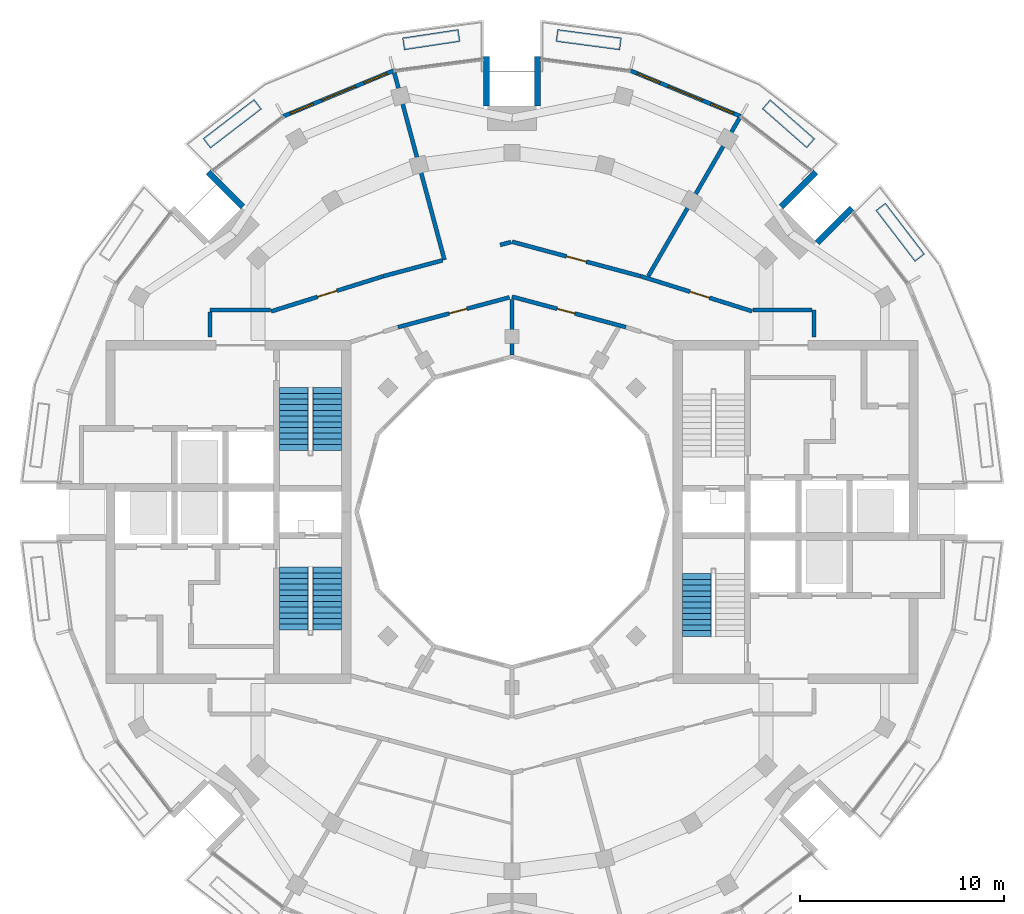
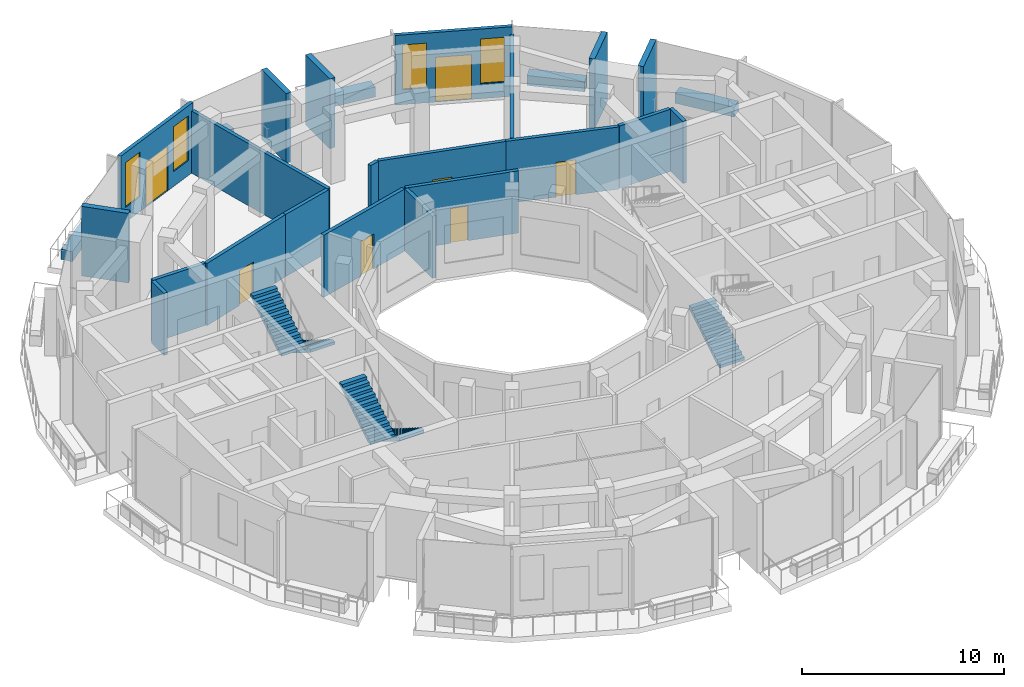
# One storey, part 12 of 16: 26 walls, 7 doors, 5 stair flights, 4 windows, 11 openings, 3 elements without a shape of their own.
"""IFC4 building model written with IfcOpenShell, lengths in metres."""

from ifc_helpers import new_model, si_unit, direction, frame, frame_2d, origin, place, context, subcontext, project, spatial, polyline, rectangle, outline, extrude, material, layer, layer_set, type_object, element, fill, aggregate, save


model = new_model("IFC4")

# Units and contexts
model_context = context("Model", 3, precision=1e-05, world=origin(), true_north=direction((0.0, 1.0)))
body_context = subcontext(model_context, "Body", "Model", "MODEL_VIEW")
ifc_project = project(units=[si_unit("LENGTHUNIT", "METRE"), si_unit("AREAUNIT", "SQUARE_METRE"), si_unit("VOLUMEUNIT", "CUBIC_METRE"), si_unit("PLANEANGLEUNIT", "RADIAN"), si_unit("MASSUNIT", "GRAM", prefix="KILO")], contexts=[model_context])

# Site, building, storey
site_placement = place(None, origin())
site = spatial("IfcSite", under=ifc_project, at=site_placement, CompositionType="ELEMENT")
building_placement = place(site_placement, origin())
building = spatial("IfcBuilding", under=site, at=building_placement, Name="Torre Brocal", CompositionType="ELEMENT")
storey_placement = place(building_placement, frame((0.0, 0.0, 292.5)))
storey = spatial("IfcBuildingStorey", under=building, at=storey_placement, Name="L67", CompositionType="ELEMENT", Elevation=292.5)

# Wall, openings, door, windows
ifc_material_1 = material(Name="Concrete C40", Category="concrete")
ifc_layer_1 = layer(ifc_material_1, 0.199951171875)
ifc_layer_set_1 = layer_set([ifc_layer_1], Name="Concrete C40")
wall_type_1 = type_object("IfcWallType", Name="EXTERNAL WALL 200", PredefinedType="NOTDEFINED", material=ifc_layer_set_1)
wall_1_placement = place(storey_placement, frame((91.199462890625, 94.398193359375, 0.0), z_axis=(0.0, 0.0, 1.0), x_axis=(-0.923869250418, 0.382708254591, 0.0)))
wall_1 = element("IfcWall", 1, at=wall_1_placement, inside=storey, type_object=wall_type_1, Name="EXTERNAL WALL", PredefinedType="NOTDEFINED", context=body_context, shape_type="SweptSolid", body=[
    extrude(rectangle(XDim=5.84716796875, YDim=0.199951171875, at=frame_2d((2.923583984375, 0.0))), origin(), (0.0, 0.0, 1.0), 4.199951171875),
])
opening_1_placement = place(wall_1_placement, frame((0.37451171875, 0.0, 0.89990234375)))
opening_1 = element("IfcOpeningElement", 2, at=opening_1_placement, cuts=wall_1, Name="Opening W9", PredefinedType="OPENING", context=body_context, shape_type="SweptSolid", body=[
    extrude(rectangle(XDim=1.199951171875, YDim=2.699951171875, at=frame_2d((0.60009765625, 1.35009765625))), frame((0.0, 0.10986328125, 0.0), z_axis=(0.0, -1.0, 0.0), x_axis=(1.0, 0.0, 0.0)), (0.0, 0.0, 1.0), 0.219970703125),
])
opening_2_placement = place(wall_1_placement, frame((2.023681640625, 0.0, 0.0)))
opening_2 = element("IfcOpeningElement", 3, at=opening_2_placement, cuts=wall_1, Name="Opening L67-E02", PredefinedType="OPENING", context=body_context, shape_type="SweptSolid", body=[
    extrude(rectangle(XDim=1.800048828125, YDim=2.699951171875, at=frame_2d((0.89990234375, 1.35009765625))), frame((0.0, 0.10986328125, 0.0), z_axis=(0.0, -1.0, 0.0), x_axis=(1.0, 0.0, 0.0)), (0.0, 0.0, 1.0), 0.219970703125),
])
opening_3_placement = place(wall_1_placement, frame((4.272705078125, 0.0, 0.89990234375)))
opening_3 = element("IfcOpeningElement", 4, at=opening_3_placement, cuts=wall_1, Name="Opening W9", PredefinedType="OPENING", context=body_context, shape_type="SweptSolid", body=[
    extrude(rectangle(XDim=1.199951171875, YDim=2.699951171875, at=frame_2d((0.60009765625, 1.35009765625))), frame((0.0, 0.10986328125, 0.0), z_axis=(0.0, -1.0, 0.0), x_axis=(1.0, 0.0, 0.0)), (0.0, 0.0, 1.0), 0.219970703125),
])
ifc_material_2 = material(Name="Aluminium and glass", Category="aluminium")
door_type_1 = type_object("IfcDoorType", Name="PENTHOUSE TERRACE DOUBLE DOOR 1800X2700", OperationType="DOUBLE_DOOR_SINGLE_SWING", PredefinedType="DOOR", material=ifc_material_2)
door_1_placement = place(opening_2_placement, frame((1.800048828125, 0.0, 0.0), z_axis=(0.0, 0.0, 1.0), x_axis=(-1.0, 0.0, 0.0)))
door_1 = element("IfcDoor", 5, at=door_1_placement, inside=storey, type_object=door_type_1, Name="DOOR L67-E02", OperationType="DOUBLE_DOOR_SINGLE_SWING", OverallHeight=2.699951171875, OverallWidth=1.800048828125, PredefinedType="DOOR", context=body_context, shape_type="SweptSolid", body=[
    extrude(rectangle(XDim=1.800048828125, YDim=2.699951171875, at=frame_2d((0.89990234375, 1.35009765625))), frame((0.0, 0.02490234375, 0.0), z_axis=(0.0, -1.0, 0.0), x_axis=(1.0, 0.0, 0.0)), (0.0, 0.0, 1.0), 0.050048828125),
])
fill(opening_2, door_1)
ifc_material_3 = material(Name="Aluminium and glass", Category="aluminium")
window_type = type_object("IfcWindowType", Name="PENTHOUSE TERRACE WINDOW 1200X2700", PartitioningType="SINGLE_PANEL", PredefinedType="WINDOW", material=ifc_material_3)
window_1_placement = place(opening_1_placement, origin())
window_1 = element("IfcWindow", 6, at=window_1_placement, inside=storey, type_object=window_type, Name="PENTHOUSE TERRACE WINDOW 1200X2700", OverallHeight=2.699951171875, OverallWidth=1.199951171875, PartitioningType="SINGLE_PANEL", PredefinedType="WINDOW", context=body_context, shape_type="SweptSolid", body=[
    extrude(rectangle(XDim=1.199951171875, YDim=2.699951171875, at=frame_2d((0.60009765625, 1.35009765625))), frame((0.0, 0.030029296875, 0.0), z_axis=(0.0, -1.0, 0.0), x_axis=(1.0, 0.0, 0.0)), (0.0, 0.0, 1.0), 0.06005859375),
])
fill(opening_1, window_1)
window_2_placement = place(opening_3_placement, origin())
window_2 = element("IfcWindow", 7, at=window_2_placement, inside=storey, type_object=window_type, Name="PENTHOUSE TERRACE WINDOW 1200X2700", OverallHeight=2.699951171875, OverallWidth=1.199951171875, PartitioningType="SINGLE_PANEL", PredefinedType="WINDOW", context=body_context, shape_type="SweptSolid", body=[
    extrude(rectangle(XDim=1.199951171875, YDim=2.699951171875, at=frame_2d((0.60009765625, 1.35009765625))), frame((0.0, 0.030029296875, 0.0), z_axis=(0.0, -1.0, 0.0), x_axis=(1.0, 0.0, 0.0)), (0.0, 0.0, 1.0), 0.06005859375),
])
fill(opening_3, window_2)

wall_2_placement = place(storey_placement, frame((74.20263671875, 96.635986328125, 0.0), z_axis=(0.0, 0.0, 1.0), x_axis=(-0.923869250418, -0.382708254591, 0.0)))
wall_2 = element("IfcWall", 8, at=wall_2_placement, inside=storey, type_object=wall_type_1, Name="EXTERNAL WALL", PredefinedType="NOTDEFINED", context=body_context, shape_type="SweptSolid", body=[
    extrude(rectangle(XDim=5.84716796875, YDim=0.199951171875, at=frame_2d((2.923583984375, 0.0))), origin(), (0.0, 0.0, 1.0), 4.199951171875),
])
opening_4_placement = place(wall_2_placement, frame((0.37451171875, 0.0, 0.89990234375)))
opening_4 = element("IfcOpeningElement", 9, at=opening_4_placement, cuts=wall_2, Name="Opening W9", PredefinedType="OPENING", context=body_context, shape_type="SweptSolid", body=[
    extrude(rectangle(XDim=1.199951171875, YDim=2.699951171875, at=frame_2d((0.60009765625, 1.35009765625))), frame((0.0, 0.10986328125, 0.0), z_axis=(0.0, -1.0, 0.0), x_axis=(1.0, 0.0, 0.0)), (0.0, 0.0, 1.0), 0.219970703125),
])
opening_5_placement = place(wall_2_placement, frame((2.023681640625, 0.0, 0.0)))
opening_5 = element("IfcOpeningElement", 10, at=opening_5_placement, cuts=wall_2, Name="Opening L67-E03", PredefinedType="OPENING", context=body_context, shape_type="SweptSolid", body=[
    extrude(rectangle(XDim=1.800048828125, YDim=2.699951171875, at=frame_2d((0.89990234375, 1.35009765625))), frame((0.0, 0.10986328125, 0.0), z_axis=(0.0, -1.0, 0.0), x_axis=(1.0, 0.0, 0.0)), (0.0, 0.0, 1.0), 0.219970703125),
])
opening_6_placement = place(wall_2_placement, frame((4.272705078125, 0.0, 0.89990234375)))
opening_6 = element("IfcOpeningElement", 11, at=opening_6_placement, cuts=wall_2, Name="Opening W9", PredefinedType="OPENING", context=body_context, shape_type="SweptSolid", body=[
    extrude(rectangle(XDim=1.199951171875, YDim=2.699951171875, at=frame_2d((0.60009765625, 1.35009765625))), frame((0.0, 0.10986328125, 0.0), z_axis=(0.0, -1.0, 0.0), x_axis=(1.0, 0.0, 0.0)), (0.0, 0.0, 1.0), 0.219970703125),
])
door_2_placement = place(opening_5_placement, frame((1.800048828125, 0.0, 0.0), z_axis=(0.0, 0.0, 1.0), x_axis=(-1.0, 0.0, 0.0)))
door_2 = element("IfcDoor", 12, at=door_2_placement, inside=storey, type_object=door_type_1, Name="DOOR L67-E03", OperationType="DOUBLE_DOOR_SINGLE_SWING", OverallHeight=2.699951171875, OverallWidth=1.800048828125, PredefinedType="DOOR", context=body_context, shape_type="SweptSolid", body=[
    extrude(rectangle(XDim=1.800048828125, YDim=2.699951171875, at=frame_2d((0.89990234375, 1.35009765625))), frame((0.0, 0.02490234375, 0.0), z_axis=(0.0, -1.0, 0.0), x_axis=(1.0, 0.0, 0.0)), (0.0, 0.0, 1.0), 0.050048828125),
])
fill(opening_5, door_2)
window_3_placement = place(opening_4_placement, origin())
window_3 = element("IfcWindow", 13, at=window_3_placement, inside=storey, type_object=window_type, Name="PENTHOUSE TERRACE WINDOW 1200X2700", OverallHeight=2.699951171875, OverallWidth=1.199951171875, PartitioningType="SINGLE_PANEL", PredefinedType="WINDOW", context=body_context, shape_type="SweptSolid", body=[
    extrude(rectangle(XDim=1.199951171875, YDim=2.699951171875, at=frame_2d((0.60009765625, 1.35009765625))), frame((0.0, 0.030029296875, 0.0), z_axis=(0.0, -1.0, 0.0), x_axis=(1.0, 0.0, 0.0)), (0.0, 0.0, 1.0), 0.06005859375),
])
fill(opening_4, window_3)
window_4_placement = place(opening_6_placement, origin())
window_4 = element("IfcWindow", 14, at=window_4_placement, inside=storey, type_object=window_type, Name="PENTHOUSE TERRACE WINDOW 1200X2700", OverallHeight=2.699951171875, OverallWidth=1.199951171875, PartitioningType="SINGLE_PANEL", PredefinedType="WINDOW", context=body_context, shape_type="SweptSolid", body=[
    extrude(rectangle(XDim=1.199951171875, YDim=2.699951171875, at=frame_2d((0.60009765625, 1.35009765625))), frame((0.0, 0.030029296875, 0.0), z_axis=(0.0, -1.0, 0.0), x_axis=(1.0, 0.0, 0.0)), (0.0, 0.0, 1.0), 0.06005859375),
])
fill(opening_6, window_4)

# Walls
ifc_material_4 = material(Name="Concrete C50", Category="concrete")
ifc_layer_2 = layer(ifc_material_4, 0.300048828125)
ifc_layer_set_2 = layer_set([ifc_layer_2], Name="Concrete C50")
wall_type_2 = type_object("IfcWallType", Name="NOTCH RETURN WALL 300 C50", PredefinedType="NOTDEFINED", material=ifc_layer_set_2)
for number, where, z_axis, x_axis, name in (
    (15, (94.955322265625, 88.1875, 0.0), (0.0, 0.0, 1.0), (0.707106781187, 0.707106781187, 0.0), "NOTCH RETURN WALL"),
    (16, (93.1875, 89.955322265625, 0.0), (0.0, 0.0, 1.0), (0.707106781187, 0.707106781187, 0.0), "NOTCH RETURN WALL"),
    (17, (81.25, 94.89990234375, 0.0), (0.0, 0.0, 1.0), (0.0, 1.0, 0.0), "NOTCH RETURN WALL"),
    (18, (78.75, 94.89990234375, 0.0), (0.0, 0.0, 1.0), (0.0, 1.0, 0.0), "NOTCH RETURN WALL"),
    (19, (66.8125, 89.955322265625, 0.0), (0.0, 0.0, 1.0), (-0.707106781187, 0.707106781187, 0.0), "NOTCH RETURN WALL"),
):
    element("IfcWall", number, at=place(storey_placement, frame(where, z_axis=z_axis, x_axis=x_axis)), inside=storey, type_object=wall_type_2, Name=name, PredefinedType="NOTDEFINED", context=body_context, shape_type="SweptSolid", body=[
        extrude(rectangle(XDim=2.415771484375, YDim=0.300048828125, at=frame_2d((1.2080078125, 0.0))), origin(), (0.0, 0.0, 1.0), 4.199951171875),
    ])
ifc_material_5 = material(Name="Gypsum board", Category="Gypsum")
ifc_layer_3 = layer(ifc_material_5, 0.199951171875)
ifc_layer_set_3 = layer_set([ifc_layer_3], Name="Gypsum board")
wall_type_3 = type_object("IfcWallType", Name="PARTITION 200 EI60", PredefinedType="PARTITIONING", material=ifc_layer_set_3)
wall_3_placement = place(storey_placement, frame((65.199951171875, 83.576904296875, 0.0), z_axis=(0.0, 0.0, 1.0), x_axis=(0.0, 1.0, 0.0)))
element("IfcWall", 20, at=wall_3_placement, inside=storey, type_object=wall_type_3, Name="FLAT ENTRANCE WALL", PredefinedType="PARTITIONING", context=body_context, shape_type="SweptSolid", body=[
    extrude(rectangle(XDim=1.22314453125, YDim=0.199951171875, at=frame_2d((0.611572265625, 0.0))), origin(), (0.0, 0.0, 1.0), 3.75),
])
wall_4_placement = place(storey_placement, frame((65.199951171875, 84.89990234375, 0.0), z_axis=(0.0, 0.0, 1.0), x_axis=(1.0, 0.0, 0.0)))
element("IfcWall", 21, at=wall_4_placement, inside=storey, type_object=wall_type_3, Name="FLAT ENTRANCE WALL", PredefinedType="PARTITIONING", context=body_context, shape_type="SweptSolid", body=[
    extrude(rectangle(XDim=2.969970703125, YDim=0.199951171875, at=frame_2d((1.48486328125, 0.0))), origin(), (0.0, 0.0, 1.0), 3.75),
])

# Wall, opening, door
wall_5_placement = place(storey_placement, frame((68.200927734375, 84.83349609375, 0.0), z_axis=(0.0, 0.0, 1.0), x_axis=(0.95420102455, 0.299166182492, 0.0)))
wall_5 = element("IfcWall", 22, at=wall_5_placement, inside=storey, type_object=wall_type_3, Name="FLAT ENTRANCE WALL", PredefinedType="PARTITIONING", context=body_context, shape_type="SweptSolid", body=[
    extrude(rectangle(XDim=5.739501953125, YDim=0.199951171875, at=frame_2d((2.86962890625, 0.0))), origin(), (0.0, 0.0, 1.0), 3.75),
])
opening_7_placement = place(wall_5_placement, frame((2.374267578125, 0.0, 0.0)))
opening_7 = element("IfcOpeningElement", 23, at=opening_7_placement, cuts=wall_5, Name="Opening N03-D03", PredefinedType="OPENING", context=body_context, shape_type="SweptSolid", body=[
    extrude(rectangle(XDim=1.0, YDim=2.10009765625, at=frame_2d((0.5, 1.050048828125))), frame((0.0, 0.10986328125, 0.0), z_axis=(0.0, -1.0, 0.0), x_axis=(1.0, 0.0, 0.0)), (0.0, 0.0, 1.0), 0.219970703125),
])
ifc_material_6 = material(Name="Timber", Category="wood")
door_type_2 = type_object("IfcDoorType", Name="FLAT ENTRY DOOR FD30S 1000X2100", OperationType="SINGLE_SWING_RIGHT", PredefinedType="DOOR", material=ifc_material_6)
door_3_placement = place(opening_7_placement, origin())
door_3 = element("IfcDoor", 24, at=door_3_placement, inside=storey, type_object=door_type_2, Name="N03-D03", OperationType="SINGLE_SWING_LEFT", OverallHeight=2.10009765625, OverallWidth=1.0, PredefinedType="DOOR", context=body_context, shape_type="SweptSolid", body=[
    extrude(rectangle(XDim=1.0, YDim=2.10009765625, at=frame_2d((0.5, 1.050048828125))), frame((0.0, 0.02490234375, 0.0), z_axis=(0.0, -1.0, 0.0), x_axis=(1.0, 0.0, 0.0)), (0.0, 0.0, 1.0), 0.050048828125),
])
fill(opening_7, door_3)

# Walls
wall_6_placement = place(storey_placement, frame((73.686767578125, 86.5546875, 0.0), z_axis=(0.0, 0.0, 1.0), x_axis=(0.965987897826, 0.258587279759, 0.0)))
element("IfcWall", 25, at=wall_6_placement, inside=storey, type_object=wall_type_3, Name="FLAT ENTRANCE WALL", PredefinedType="PARTITIONING", context=body_context, shape_type="SweptSolid", body=[
    extrude(rectangle(XDim=3.007080078125, YDim=0.199951171875, at=frame_2d((1.50341796875, 0.0))), origin(), (0.0, 0.0, 1.0), 3.75),
])
wall_7_placement = place(storey_placement, frame((74.22998046875, 96.53759765625, 0.0), z_axis=(0.0, 0.0, 1.0), x_axis=(0.258775468547, -0.965937501538, 0.0)))
element("IfcWall", 26, at=wall_7_placement, inside=storey, type_object=wall_type_3, Name="PARTY PARTITION", PredefinedType="PARTITIONING", context=body_context, shape_type="SweptSolid", body=[
    extrude(rectangle(XDim=9.50244140625, YDim=0.199951171875, at=frame_2d((4.751220703125, 0.0))), origin(), (0.0, 0.0, 1.0), 3.75),
])

# Wall, opening, door
wall_8_placement = place(storey_placement, frame((74.4130859375, 84.056884765625, 0.0), z_axis=(0.0, 0.0, 1.0), x_axis=(0.965972135939, 0.258646153246, 0.0)))
wall_8 = element("IfcWall", 27, at=wall_8_placement, inside=storey, type_object=wall_type_3, Name="CORRIDOR WALL", PredefinedType="PARTITIONING", context=body_context, shape_type="SweptSolid", body=[
    extrude(rectangle(XDim=5.654052734375, YDim=0.199951171875, at=frame_2d((2.8271484375, 0.0))), origin(), (0.0, 0.0, 1.0), 3.75),
])
opening_8_placement = place(wall_8_placement, frame((2.5927734375, 0.0, 0.0)))
opening_8 = element("IfcOpeningElement", 28, at=opening_8_placement, cuts=wall_8, Name="Opening N03-D06", PredefinedType="OPENING", context=body_context, shape_type="SweptSolid", body=[
    extrude(rectangle(XDim=0.89990234375, YDim=2.10009765625, at=frame_2d((0.449951171875, 1.050048828125))), frame((0.0, 0.10986328125, 0.0), z_axis=(0.0, -1.0, 0.0), x_axis=(1.0, 0.0, 0.0)), (0.0, 0.0, 1.0), 0.219970703125),
])
ifc_material_7 = material(Name="Timber", Category="wood")
door_type_3 = type_object("IfcDoorType", Name="ROOM DOOR 900X2100", OperationType="SINGLE_SWING_LEFT", PredefinedType="DOOR", material=ifc_material_7)
door_4_placement = place(opening_8_placement, frame((0.89990234375, 0.0, 0.0), z_axis=(0.0, 0.0, 1.0), x_axis=(-1.0, 0.0, 0.0)))
door_4 = element("IfcDoor", 29, at=door_4_placement, inside=storey, type_object=door_type_3, Name="N03-D06", OperationType="SINGLE_SWING_RIGHT", OverallHeight=2.10009765625, OverallWidth=0.89990234375, PredefinedType="DOOR", context=body_context, shape_type="SweptSolid", body=[
    extrude(rectangle(XDim=0.89990234375, YDim=2.10009765625, at=frame_2d((0.449951171875, 1.050048828125))), frame((0.0, 0.02490234375, 0.0), z_axis=(0.0, -1.0, 0.0), x_axis=(1.0, 0.0, 0.0)), (0.0, 0.0, 1.0), 0.050048828125),
])
fill(opening_8, door_4)

# Walls
wall_9_placement = place(storey_placement, frame((79.42138671875, 88.08984375, 0.0), z_axis=(0.0, 0.0, 1.0), x_axis=(0.966065016104, 0.258299021793, 0.0)))
element("IfcWall", 30, at=wall_9_placement, inside=storey, type_object=wall_type_3, Name="FLAT ENTRANCE WALL", PredefinedType="PARTITIONING", context=body_context, shape_type="SweptSolid", body=[
    extrude(rectangle(XDim=0.549072265625, YDim=0.199951171875, at=frame_2d((0.2744140625, 0.0))), origin(), (0.0, 0.0, 1.0), 3.75),
])
wall_10_placement = place(storey_placement, frame((80.0, 82.698974609375, 0.0), z_axis=(0.0, 0.0, 1.0), x_axis=(0.0, 1.0, 0.0)))
element("IfcWall", 31, at=wall_10_placement, inside=storey, type_object=wall_type_3, Name="SERVICE ROOM WALL", PredefinedType="PARTITIONING", context=body_context, shape_type="SweptSolid", body=[
    extrude(rectangle(XDim=2.72509765625, YDim=0.199951171875, at=frame_2d((1.362548828125, 0.0))), origin(), (0.0, 0.0, 1.0), 3.75),
])

# Wall, opening, door
wall_11_placement = place(storey_placement, frame((80.0, 85.553955078125, 0.0), z_axis=(0.0, 0.0, 1.0), x_axis=(0.965928989968, -0.258807237802, 0.0)))
wall_11 = element("IfcWall", 32, at=wall_11_placement, inside=storey, type_object=wall_type_3, Name="CORRIDOR WALL", PredefinedType="PARTITIONING", context=body_context, shape_type="SweptSolid", body=[
    extrude(rectangle(XDim=5.774169921875, YDim=0.199951171875, at=frame_2d((2.88720703125, 0.0))), origin(), (0.0, 0.0, 1.0), 3.75),
])
opening_9_placement = place(wall_11_placement, frame((2.29150390625, 0.0, 0.0)))
opening_9 = element("IfcOpeningElement", 33, at=opening_9_placement, cuts=wall_11, Name="Opening N03-D05", PredefinedType="OPENING", context=body_context, shape_type="SweptSolid", body=[
    extrude(rectangle(XDim=0.89990234375, YDim=2.10009765625, at=frame_2d((0.449951171875, 1.050048828125))), frame((0.0, 0.10986328125, 0.0), z_axis=(0.0, -1.0, 0.0), x_axis=(1.0, 0.0, 0.0)), (0.0, 0.0, 1.0), 0.219970703125),
])
door_5_placement = place(opening_9_placement, frame((0.89990234375, 0.0, 0.0), z_axis=(0.0, 0.0, 1.0), x_axis=(-1.0, 0.0, 0.0)))
door_5 = element("IfcDoor", 34, at=door_5_placement, inside=storey, type_object=door_type_3, Name="N03-D05", OperationType="SINGLE_SWING_LEFT", OverallHeight=2.10009765625, OverallWidth=0.89990234375, PredefinedType="DOOR", context=body_context, shape_type="SweptSolid", body=[
    extrude(rectangle(XDim=0.89990234375, YDim=2.10009765625, at=frame_2d((0.449951171875, 1.050048828125))), frame((0.0, 0.02490234375, 0.0), z_axis=(0.0, -1.0, 0.0), x_axis=(1.0, 0.0, 0.0)), (0.0, 0.0, 1.0), 0.050048828125),
])
fill(opening_9, door_5)

wall_12_placement = place(storey_placement, frame((80.0, 88.24609375, 0.0), z_axis=(0.0, 0.0, 1.0), x_axis=(0.965856994925, -0.259075790752, 0.0)))
wall_12 = element("IfcWall", 35, at=wall_12_placement, inside=storey, type_object=wall_type_3, Name="FLAT ENTRANCE WALL", PredefinedType="PARTITIONING", context=body_context, shape_type="SweptSolid", body=[
    extrude(rectangle(XDim=6.52587890625, YDim=0.199951171875, at=frame_2d((3.262939453125, 0.0))), origin(), (0.0, 0.0, 1.0), 3.75),
])
opening_10_placement = place(wall_12_placement, frame((2.767822265625, 0.0, 0.0)))
opening_10 = element("IfcOpeningElement", 36, at=opening_10_placement, cuts=wall_12, Name="Opening N03-D02", PredefinedType="OPENING", context=body_context, shape_type="SweptSolid", body=[
    extrude(rectangle(XDim=1.0, YDim=2.10009765625, at=frame_2d((0.5, 1.050048828125))), frame((0.0, 0.10986328125, 0.0), z_axis=(0.0, -1.0, 0.0), x_axis=(1.0, 0.0, 0.0)), (0.0, 0.0, 1.0), 0.219970703125),
])
door_6_placement = place(opening_10_placement, origin())
door_6 = element("IfcDoor", 37, at=door_6_placement, inside=storey, type_object=door_type_2, Name="N03-D02", OperationType="SINGLE_SWING_RIGHT", OverallHeight=2.10009765625, OverallWidth=1.0, PredefinedType="DOOR", context=body_context, shape_type="SweptSolid", body=[
    extrude(rectangle(XDim=1.0, YDim=2.10009765625, at=frame_2d((0.5, 1.050048828125))), frame((0.0, 0.02490234375, 0.0), z_axis=(0.0, -1.0, 0.0), x_axis=(1.0, 0.0, 0.0)), (0.0, 0.0, 1.0), 0.050048828125),
])
fill(opening_10, door_6)

wall_13_placement = place(storey_placement, frame((86.313720703125, 86.555908203125, 0.0), z_axis=(0.0, 0.0, 1.0), x_axis=(0.953912400139, -0.300085209334, 0.0)))
wall_13 = element("IfcWall", 38, at=wall_13_placement, inside=storey, type_object=wall_type_3, Name="FLAT ENTRANCE WALL", PredefinedType="PARTITIONING", context=body_context, shape_type="SweptSolid", body=[
    extrude(rectangle(XDim=5.719482421875, YDim=0.199951171875, at=frame_2d((2.85986328125, 0.0))), origin(), (0.0, 0.0, 1.0), 3.75),
])
opening_11_placement = place(wall_13_placement, frame((2.524169921875, 0.0, 0.0)))
opening_11 = element("IfcOpeningElement", 39, at=opening_11_placement, cuts=wall_13, Name="Opening N03-D01", PredefinedType="OPENING", context=body_context, shape_type="SweptSolid", body=[
    extrude(rectangle(XDim=1.0, YDim=2.10009765625, at=frame_2d((0.5, 1.050048828125))), frame((0.0, 0.10986328125, 0.0), z_axis=(0.0, -1.0, 0.0), x_axis=(1.0, 0.0, 0.0)), (0.0, 0.0, 1.0), 0.219970703125),
])
door_7_placement = place(opening_11_placement, origin())
door_7 = element("IfcDoor", 40, at=door_7_placement, inside=storey, type_object=door_type_2, Name="N03-D01", OperationType="SINGLE_SWING_LEFT", OverallHeight=2.10009765625, OverallWidth=1.0, PredefinedType="DOOR", context=body_context, shape_type="SweptSolid", body=[
    extrude(rectangle(XDim=1.0, YDim=2.10009765625, at=frame_2d((0.5, 1.050048828125))), frame((0.0, 0.02490234375, 0.0), z_axis=(0.0, -1.0, 0.0), x_axis=(1.0, 0.0, 0.0)), (0.0, 0.0, 1.0), 0.050048828125),
])
fill(opening_11, door_7)

# Walls
wall_14_placement = place(storey_placement, frame((86.6787109375, 86.56298828125, 0.0), z_axis=(0.0, 0.0, 1.0), x_axis=(0.500152516677, 0.865937330331, 0.0)))
element("IfcWall", 41, at=wall_14_placement, inside=storey, type_object=wall_type_3, Name="PARTY PARTITION", PredefinedType="PARTITIONING", context=body_context, shape_type="SweptSolid", body=[
    extrude(rectangle(XDim=8.943115234375, YDim=0.199951171875, at=frame_2d((4.4716796875, 0.0))), origin(), (0.0, 0.0, 1.0), 3.75),
])
wall_15_placement = place(storey_placement, frame((91.800048828125, 84.89990234375, 0.0), z_axis=(0.0, 0.0, 1.0), x_axis=(1.0, 0.0, 0.0)))
element("IfcWall", 42, at=wall_15_placement, inside=storey, type_object=wall_type_3, Name="FLAT ENTRANCE WALL", PredefinedType="PARTITIONING", context=body_context, shape_type="SweptSolid", body=[
    extrude(rectangle(XDim=2.89990234375, YDim=0.199951171875, at=frame_2d((1.449951171875, 0.0))), origin(), (0.0, 0.0, 1.0), 3.75),
])
wall_16_placement = place(storey_placement, frame((94.800048828125, 83.576904296875, 0.0), z_axis=(0.0, 0.0, 1.0), x_axis=(0.0, 1.0, 0.0)))
element("IfcWall", 43, at=wall_16_placement, inside=storey, type_object=wall_type_3, Name="FLAT ENTRANCE WALL", PredefinedType="PARTITIONING", context=body_context, shape_type="SweptSolid", body=[
    extrude(rectangle(XDim=1.322998046875, YDim=0.199951171875, at=frame_2d((0.66162109375, 0.0))), origin(), (0.0, 0.0, 1.0), 3.75),
])
ifc_material_8 = material(Name="Concrete C35", Category="concrete")
ifc_layer_4 = layer(ifc_material_8, 0.60009765625)
ifc_layer_set_4 = layer_set([ifc_layer_4], Name="Concrete C35")
wall_type_4 = type_object("IfcWallType", Name="PLANTER WALL 600 THICK 600 HIGH", PredefinedType="USERDEFINED", material=ifc_layer_set_4)
wall_17_placement = place(storey_placement, frame((99.988037109375, 87.4560546875, 0.0), z_axis=(0.0, 0.0, 1.0), x_axis=(-0.608765634962, 0.793350112932, 0.0)))
element("IfcWall", 44, at=wall_17_placement, inside=storey, type_object=wall_type_4, Name="PLANTER", ObjectType="PLANTER", PredefinedType="USERDEFINED", context=body_context, shape_type="SweptSolid", body=[
    extrude(rectangle(XDim=3.159912109375, YDim=0.60009765625, at=frame_2d((1.580078125, 0.0))), origin(), (0.0, 0.0, 1.0), 0.60009765625),
])
wall_18_placement = place(storey_placement, frame((94.6455078125, 93.064453125, 0.0), z_axis=(0.0, 0.0, 1.0), x_axis=(-0.751246709205, 0.660021501096, 0.0)))
element("IfcWall", 45, at=wall_18_placement, inside=storey, type_object=wall_type_4, Name="PLANTER", ObjectType="PLANTER", PredefinedType="USERDEFINED", context=body_context, shape_type="SweptSolid", body=[
    extrude(rectangle(XDim=2.914306640625, YDim=0.60009765625, at=frame_2d((1.45703125, 0.0))), origin(), (0.0, 0.0, 1.0), 0.60009765625),
])
wall_19_placement = place(storey_placement, frame((85.325927734375, 97.94140625, 0.0), z_axis=(0.0, 0.0, 1.0), x_axis=(-0.991438509602, 0.130574429647, 0.0)))
element("IfcWall", 46, at=wall_19_placement, inside=storey, type_object=wall_type_4, Name="PLANTER", ObjectType="PLANTER", PredefinedType="USERDEFINED", context=body_context, shape_type="SweptSolid", body=[
    extrude(rectangle(XDim=3.159912109375, YDim=0.60009765625, at=frame_2d((1.580078125, 0.0))), origin(), (0.0, 0.0, 1.0), 0.60009765625),
])
wall_20_placement = place(storey_placement, frame((77.41015625, 98.35400390625, 0.0), z_axis=(0.0, 0.0, 1.0), x_axis=(-0.988820205867, -0.14911271062, 0.0)))
element("IfcWall", 47, at=wall_20_placement, inside=storey, type_object=wall_type_4, Name="PLANTER", ObjectType="PLANTER", PredefinedType="USERDEFINED", context=body_context, shape_type="SweptSolid", body=[
    extrude(rectangle(XDim=2.76708984375, YDim=0.60009765625, at=frame_2d((1.383544921875, 0.0))), origin(), (0.0, 0.0, 1.0), 0.60009765625),
])
wall_21_placement = place(storey_placement, frame((67.5439453125, 94.988037109375, 0.0), z_axis=(0.0, 0.0, 1.0), x_axis=(-0.793350112932, -0.608765634962, 0.0)))
element("IfcWall", 48, at=wall_21_placement, inside=storey, type_object=wall_type_4, Name="PLANTER", ObjectType="PLANTER", PredefinedType="USERDEFINED", context=body_context, shape_type="SweptSolid", body=[
    extrude(rectangle(XDim=3.159912109375, YDim=0.60009765625, at=frame_2d((1.580078125, 0.0))), origin(), (0.0, 0.0, 1.0), 0.60009765625),
])

# Stair, stair flight
ifc_material_9 = material(Name="Concrete C50", Category="concrete")
stair_type = type_object("IfcStairType", Name="EXIT STAIR", PredefinedType="HALF_TURN_STAIR", material=ifc_material_9)
stair_1_placement = place(storey_placement, origin())
stair_1 = element("IfcStair", 49, at=stair_1_placement, inside=storey, type_object=stair_type, Name="EXIT STAIR ST2", PredefinedType="HALF_TURN_STAIR")
ifc_material_10 = material(Name="Concrete C50", Category="concrete")
ifc_layer_5 = layer(ifc_material_10, 0.14990234375)
ifc_layer_set_5 = layer_set([ifc_layer_5], Name="Concrete C50")
stair_flight_type = type_object("IfcStairFlightType", Name="STAIR FLIGHT", PredefinedType="STRAIGHT", material=ifc_layer_set_5)
stair_flight_1_placement = place(storey_placement, frame((89.050048828125, 68.89990234375, 0.0), z_axis=(0.0, 0.0, 1.0), x_axis=(0.0, 1.0, 0.0)))
stair_flight_1 = element("IfcStairFlight", 50, at=stair_flight_1_placement, type_object=stair_flight_type, Name="ST2 flight 1", NumberOfRisers=12, NumberOfTreads=11, PredefinedType="STRAIGHT", RiserHeight=0.175, TreadLength=0.28, context=body_context, shape_type="SweptSolid", body=[
    extrude(outline(polyline([(0.0, 0.0), (0.0, 0.175048828125), (0.280029296875, 0.175048828125), (0.280029296875, 0.35009765625), (0.56005859375, 0.35009765625), (0.56005859375, 0.52490234375), (0.840087890625, 0.52490234375), (0.840087890625, 0.699951171875), (1.1201171875, 0.699951171875), (1.1201171875, 0.875), (1.39990234375, 0.875), (1.39990234375, 1.050048828125), (1.679931640625, 1.050048828125), (1.679931640625, 1.22509765625), (1.9599609375, 1.22509765625), (1.9599609375, 1.39990234375), (2.239990234375, 1.39990234375), (2.239990234375, 1.574951171875), (2.52001953125, 1.574951171875), (2.52001953125, 1.75), (2.800048828125, 1.75), (2.800048828125, 1.925048828125), (3.080078125, 1.925048828125), (3.080078125, 2.10009765625), (3.080078125, 1.748291015625), (0.28271484375, 0.0), (0.0, 0.0)])), frame((0.0, 0.699951171875, 0.0), z_axis=(0.0, -1.0, 0.0), x_axis=(1.0, 0.0, 0.0)), (0.0, 0.0, 1.0), 1.39990234375),
])
aggregate(stair_1, [stair_flight_1])

# Stair, stair flights
stair_2_placement = place(storey_placement, origin())
stair_2 = element("IfcStair", 51, at=stair_2_placement, inside=storey, type_object=stair_type, Name="EXIT STAIR ST3", PredefinedType="HALF_TURN_STAIR")
stair_flight_2_placement = place(storey_placement, frame((70.949951171875, 72.300048828125, 0.0), z_axis=(0.0, 0.0, 1.0), x_axis=(0.0, -1.0, 0.0)))
stair_flight_2 = element("IfcStairFlight", 52, at=stair_flight_2_placement, type_object=stair_flight_type, Name="ST3 flight 1", NumberOfRisers=12, NumberOfTreads=11, PredefinedType="STRAIGHT", RiserHeight=0.175, TreadLength=0.28, context=body_context, shape_type="SweptSolid", body=[
    extrude(outline(polyline([(0.0, 0.0), (0.0, 0.175048828125), (0.280029296875, 0.175048828125), (0.280029296875, 0.35009765625), (0.56005859375, 0.35009765625), (0.56005859375, 0.52490234375), (0.840087890625, 0.52490234375), (0.840087890625, 0.699951171875), (1.1201171875, 0.699951171875), (1.1201171875, 0.875), (1.39990234375, 0.875), (1.39990234375, 1.050048828125), (1.679931640625, 1.050048828125), (1.679931640625, 1.22509765625), (1.9599609375, 1.22509765625), (1.9599609375, 1.39990234375), (2.239990234375, 1.39990234375), (2.239990234375, 1.574951171875), (2.52001953125, 1.574951171875), (2.52001953125, 1.75), (2.800048828125, 1.75), (2.800048828125, 1.925048828125), (3.080078125, 1.925048828125), (3.080078125, 2.10009765625), (3.080078125, 1.748291015625), (0.28271484375, 0.0), (0.0, 0.0)])), frame((0.0, 0.699951171875, 0.0), z_axis=(0.0, -1.0, 0.0), x_axis=(1.0, 0.0, 0.0)), (0.0, 0.0, 1.0), 1.39990234375),
])
stair_flight_3_placement = place(storey_placement, frame((69.300048828125, 69.219970703125, 2.10009765625), z_axis=(0.0, 0.0, 1.0), x_axis=(0.0, 1.0, 0.0)))
stair_flight_3 = element("IfcStairFlight", 53, at=stair_flight_3_placement, type_object=stair_flight_type, Name="ST3 flight 2", NumberOfRisers=12, NumberOfTreads=11, PredefinedType="STRAIGHT", RiserHeight=0.175, TreadLength=0.28, context=body_context, shape_type="SweptSolid", body=[
    extrude(outline(polyline([(0.0, 0.0), (0.0, 0.175048828125), (0.280029296875, 0.175048828125), (0.280029296875, 0.35009765625), (0.56005859375, 0.35009765625), (0.56005859375, 0.52490234375), (0.840087890625, 0.52490234375), (0.840087890625, 0.699951171875), (1.1201171875, 0.699951171875), (1.1201171875, 0.875), (1.39990234375, 0.875), (1.39990234375, 1.050048828125), (1.679931640625, 1.050048828125), (1.679931640625, 1.22509765625), (1.9599609375, 1.22509765625), (1.9599609375, 1.39990234375), (2.239990234375, 1.39990234375), (2.239990234375, 1.574951171875), (2.52001953125, 1.574951171875), (2.52001953125, 1.75), (2.800048828125, 1.75), (2.800048828125, 1.925048828125), (3.080078125, 1.925048828125), (3.080078125, 2.10009765625), (3.080078125, 1.748291015625), (0.28271484375, 0.0), (0.0, 0.0)])), frame((0.0, 0.699951171875, 0.0), z_axis=(0.0, -1.0, 0.0), x_axis=(1.0, 0.0, 0.0)), (0.0, 0.0, 1.0), 1.39990234375),
])
aggregate(stair_2, [stair_flight_2, stair_flight_3])

stair_3_placement = place(storey_placement, origin())
stair_3 = element("IfcStair", 54, at=stair_3_placement, inside=storey, type_object=stair_type, Name="EXIT STAIR ST4", PredefinedType="HALF_TURN_STAIR")
stair_flight_4_placement = place(storey_placement, frame((70.949951171875, 81.10009765625, 0.0), z_axis=(0.0, 0.0, 1.0), x_axis=(0.0, -1.0, 0.0)))
stair_flight_4 = element("IfcStairFlight", 55, at=stair_flight_4_placement, type_object=stair_flight_type, Name="ST4 flight 1", NumberOfRisers=12, NumberOfTreads=11, PredefinedType="STRAIGHT", RiserHeight=0.175, TreadLength=0.28, context=body_context, shape_type="SweptSolid", body=[
    extrude(outline(polyline([(0.0, 0.0), (0.0, 0.175048828125), (0.280029296875, 0.175048828125), (0.280029296875, 0.35009765625), (0.56005859375, 0.35009765625), (0.56005859375, 0.52490234375), (0.840087890625, 0.52490234375), (0.840087890625, 0.699951171875), (1.1201171875, 0.699951171875), (1.1201171875, 0.875), (1.39990234375, 0.875), (1.39990234375, 1.050048828125), (1.679931640625, 1.050048828125), (1.679931640625, 1.22509765625), (1.9599609375, 1.22509765625), (1.9599609375, 1.39990234375), (2.239990234375, 1.39990234375), (2.239990234375, 1.574951171875), (2.52001953125, 1.574951171875), (2.52001953125, 1.75), (2.800048828125, 1.75), (2.800048828125, 1.925048828125), (3.080078125, 1.925048828125), (3.080078125, 2.10009765625), (3.080078125, 1.748291015625), (0.28271484375, 0.0), (0.0, 0.0)])), frame((0.0, 0.699951171875, 0.0), z_axis=(0.0, -1.0, 0.0), x_axis=(1.0, 0.0, 0.0)), (0.0, 0.0, 1.0), 1.39990234375),
])
stair_flight_5_placement = place(storey_placement, frame((69.300048828125, 78.02001953125, 2.10009765625), z_axis=(0.0, 0.0, 1.0), x_axis=(0.0, 1.0, 0.0)))
stair_flight_5 = element("IfcStairFlight", 56, at=stair_flight_5_placement, type_object=stair_flight_type, Name="ST4 flight 2", NumberOfRisers=12, NumberOfTreads=11, PredefinedType="STRAIGHT", RiserHeight=0.175, TreadLength=0.28, context=body_context, shape_type="SweptSolid", body=[
    extrude(outline(polyline([(0.0, 0.0), (0.0, 0.175048828125), (0.280029296875, 0.175048828125), (0.280029296875, 0.35009765625), (0.56005859375, 0.35009765625), (0.56005859375, 0.52490234375), (0.840087890625, 0.52490234375), (0.840087890625, 0.699951171875), (1.1201171875, 0.699951171875), (1.1201171875, 0.875), (1.39990234375, 0.875), (1.39990234375, 1.050048828125), (1.679931640625, 1.050048828125), (1.679931640625, 1.22509765625), (1.9599609375, 1.22509765625), (1.9599609375, 1.39990234375), (2.239990234375, 1.39990234375), (2.239990234375, 1.574951171875), (2.52001953125, 1.574951171875), (2.52001953125, 1.75), (2.800048828125, 1.75), (2.800048828125, 1.925048828125), (3.080078125, 1.925048828125), (3.080078125, 2.10009765625), (3.080078125, 1.748291015625), (0.28271484375, 0.0), (0.0, 0.0)])), frame((0.0, 0.699951171875, 0.0), z_axis=(0.0, -1.0, 0.0), x_axis=(1.0, 0.0, 0.0)), (0.0, 0.0, 1.0), 1.39990234375),
])
aggregate(stair_3, [stair_flight_4, stair_flight_5])

save(model, "model.ifc")
